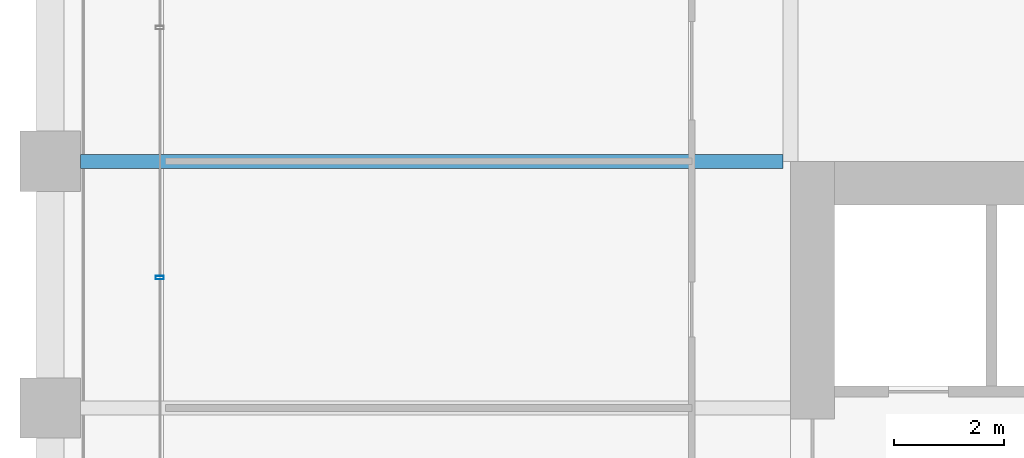
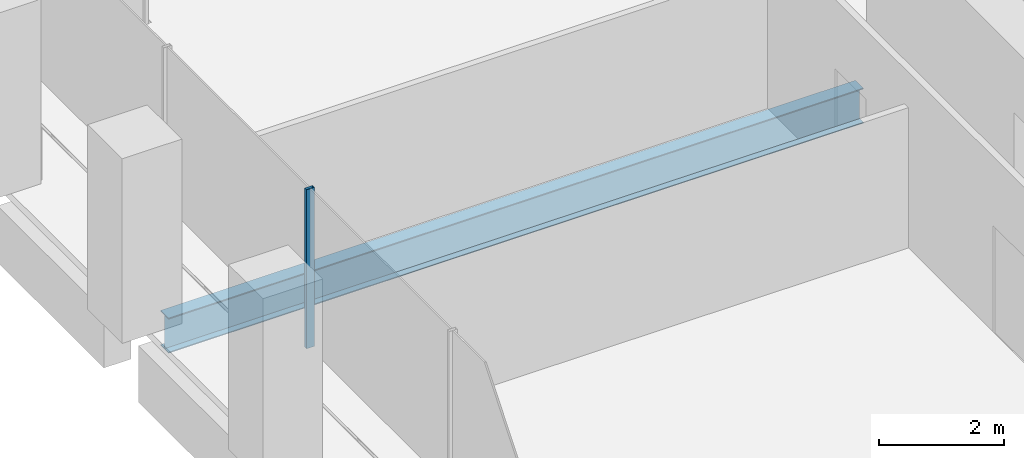
# One storey, part 14 of 56: 1 beam, 1 member, 1 element without a shape of its own.
"""IFC4 building model written with IfcOpenShell, lengths in metres."""

from ifc_helpers import new_model, si_unit, direction, frame, origin, origin_2d, place, context, subcontext, project, spatial, hollow_rectangle, i_section, extrude, material, material_profile, profile_set, type_object, element, aggregate, save


model = new_model("IFC4")

# Units and contexts
model_context = context("Model", 3, precision=1e-05, world=origin(), true_north=direction((0.0, 1.0)))
body_context = subcontext(model_context, "Body", "Model", "MODEL_VIEW")
ifc_project = project(units=[si_unit("LENGTHUNIT", "METRE"), si_unit("AREAUNIT", "SQUARE_METRE"), si_unit("VOLUMEUNIT", "CUBIC_METRE"), si_unit("PLANEANGLEUNIT", "RADIAN"), si_unit("MASSUNIT", "GRAM", prefix="KILO")], contexts=[model_context])

# Site, building, storey
site_placement = place(None, origin())
site = spatial("IfcSite", under=ifc_project, at=site_placement, CompositionType="ELEMENT")
building_placement = place(site_placement, origin())
building = spatial("IfcBuilding", under=site, at=building_placement, Name="Altepetl Exchange Towers", CompositionType="ELEMENT")
storey_placement = place(building_placement, frame((0.0, 0.0, 79.800048828125)))
storey = spatial("IfcBuildingStorey", under=building, at=storey_placement, Name="L19", CompositionType="ELEMENT", Elevation=79.800048828125)

# Beam
ifc_material_1 = material(Name="Steel S355", Category="steel")
ifc_material_profile_1 = material_profile(ifc_material_1, i_section(OverallWidth=0.25390625, OverallDepth=0.68408203125, WebThickness=0.012451171875, FlangeThickness=0.018798828125, at=origin_2d()), Name="W27X94")
ifc_profile_set_1 = profile_set([ifc_material_profile_1], Name="Steel S355")
beam_type = type_object("IfcBeamType", Name="Floor beam W27X94", PredefinedType="BEAM", material=ifc_profile_set_1)
beam_placement = place(storey_placement, frame((27.550048828125, 58.5, -0.491943359375), z_axis=(1.0, 0.0, 0.0), x_axis=(0.0, 1.0, 0.0)))
element("IfcBeam", 1, at=beam_placement, inside=storey, type_object=beam_type, Name="bm:A:L19:021", PredefinedType="BEAM", context=body_context, shape_type="SweptSolid", body=[
    extrude(i_section(OverallWidth=0.25390625, OverallDepth=0.68408203125, WebThickness=0.012451171875, FlangeThickness=0.018798828125, at=origin_2d()), origin(), (0.0, 0.0, 1.0), 12.81591796875),
])

# Curtain wall, member
ifc_material_2 = material(Name="Aluminium 6063-T6 glazing", Category="aluminium")
curtain_wall_type = type_object("IfcCurtainWallType", Name="Loggia glazing system", PredefinedType="NOTDEFINED", material=ifc_material_2)
curtain_wall_placement = place(storey_placement, origin())
curtain_wall = element("IfcCurtainWall", 2, at=curtain_wall_placement, inside=storey, type_object=curtain_wall_type, Name="CW1 run", PredefinedType="NOTDEFINED")
ifc_material_3 = material(Name="Aluminium 6063-T6", Category="aluminium")
ifc_material_profile_2 = material_profile(ifc_material_3, hollow_rectangle(XDim=0.06005859375, YDim=0.14990234375, WallThickness=0.0029296875, at=origin_2d()), Name="Mullion 60x150 aluminium")
ifc_profile_set_2 = profile_set([ifc_material_profile_2], Name="Aluminium 6063-T6")
member_type = type_object("IfcMemberType", Name="Mullion 60x150 aluminium", PredefinedType="MULLION", material=ifc_profile_set_2)
member_placement = place(storey_placement, frame((29.0, 56.378662109375, 0.0), z_axis=(0.0, 0.0, 1.0), x_axis=(0.0, -1.0, 0.0)))
member = element("IfcMember", 3, at=member_placement, type_object=member_type, Name="MU1 mullion", PredefinedType="MULLION", context=body_context, shape_type="SweptSolid", body=[
    extrude(hollow_rectangle(XDim=0.06005859375, YDim=0.14990234375, WallThickness=0.0029296875, at=origin_2d()), origin(), (0.0, 0.0, 1.0), 3.099853515625),
])
aggregate(curtain_wall, [member])

save(model, "model.ifc")
